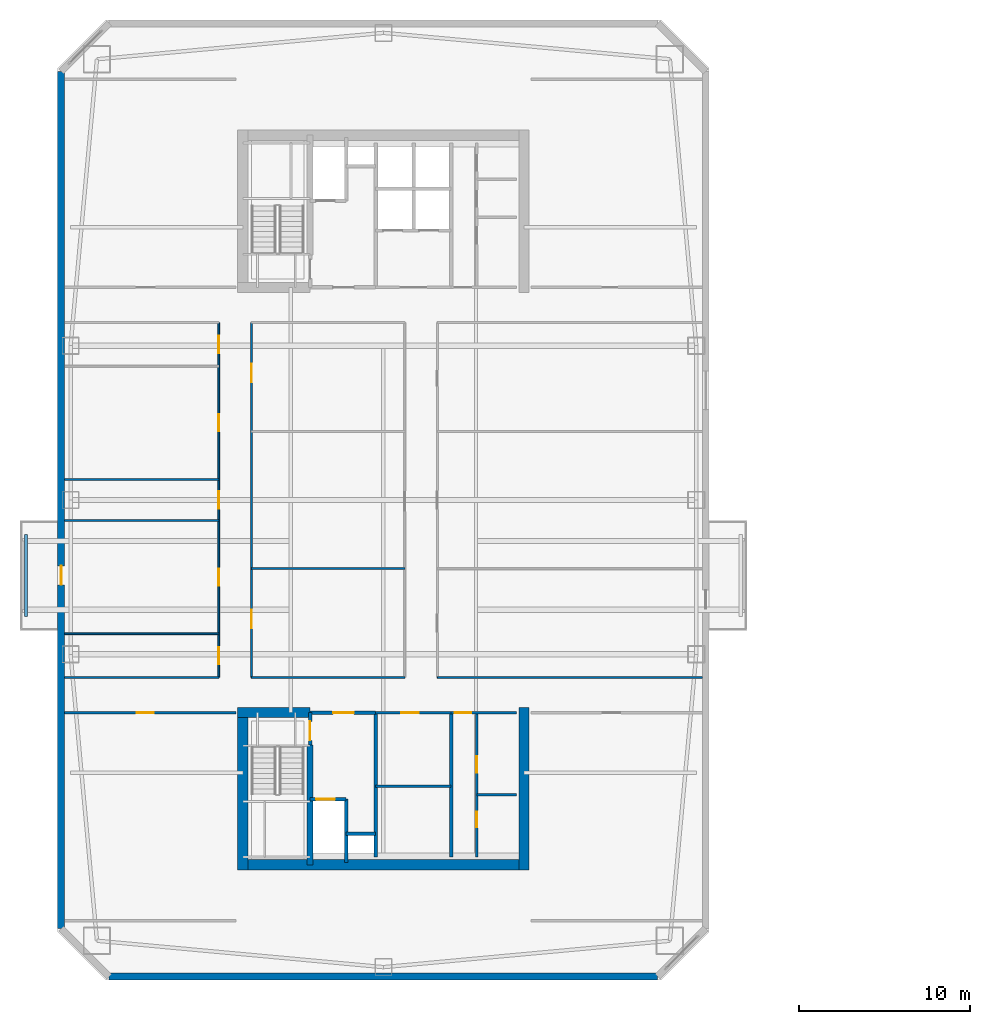
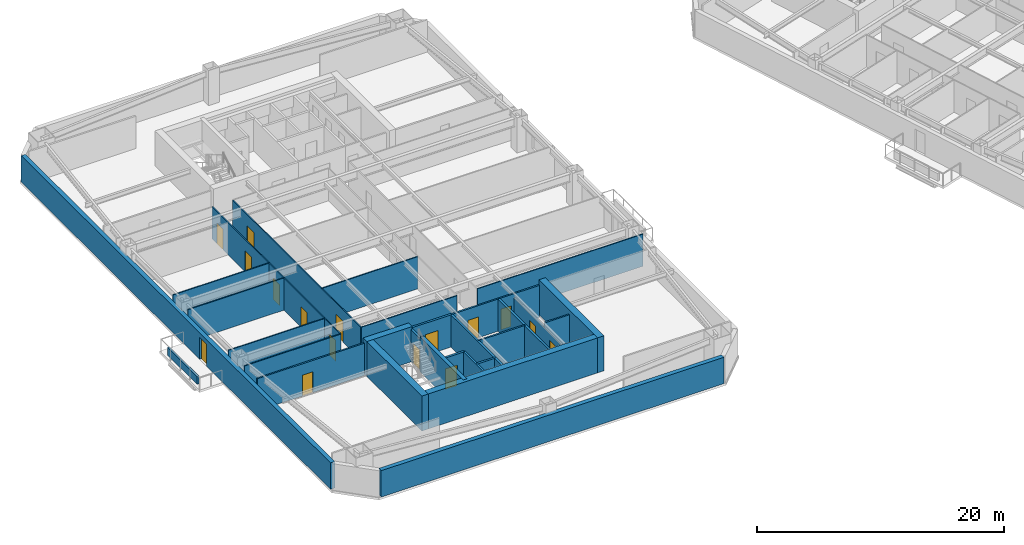
# One storey, part 12 of 22: 30 walls, 16 doors, 16 openings.
"""IFC4 building model written with IfcOpenShell, lengths in metres."""

from ifc_helpers import new_model, si_unit, direction, frame, frame_2d, origin, place, context, subcontext, project, spatial, rectangle, extrude, material, layer, layer_set, type_object, element, fill, save


model = new_model("IFC4")

# Units and contexts
model_context = context("Model", 3, precision=1e-05, world=origin(), true_north=direction((0.0, 1.0)))
body_context = subcontext(model_context, "Body", "Model", "MODEL_VIEW")
ifc_project = project(units=[si_unit("LENGTHUNIT", "METRE"), si_unit("AREAUNIT", "SQUARE_METRE"), si_unit("VOLUMEUNIT", "CUBIC_METRE"), si_unit("PLANEANGLEUNIT", "RADIAN"), si_unit("MASSUNIT", "GRAM", prefix="KILO")], contexts=[model_context])

# Site, building, storey
site_placement = place(None, origin())
site = spatial("IfcSite", under=ifc_project, at=site_placement, CompositionType="ELEMENT")
building_placement = place(site_placement, origin())
building = spatial("IfcBuilding", under=site, at=building_placement, Name="Qiaolan Cultural Towers", CompositionType="ELEMENT")
storey_placement = place(building_placement, frame((0.0, 0.0, 146.050048828125)))
storey = spatial("IfcBuildingStorey", under=building, at=storey_placement, Name="L38", CompositionType="ELEMENT", Elevation=146.050048828125)

# Walls
ifc_material_1 = material(Name="Concrete C50", Category="concrete")
ifc_layer_1 = layer(ifc_material_1, 0.35009765625)
ifc_layer_set_1 = layer_set([ifc_layer_1], Name="Concrete C50")
wall_type_1 = type_object("IfcWallType", Name="WL-CORE-350", PredefinedType="SHEAR", material=ifc_layer_set_1)
wall_1_placement = place(storey_placement, frame((25.719970703125, 19.699951171875, 0.0), z_axis=(0.0, 0.0, 1.0), x_axis=(0.0, -1.0, 0.0)))
element("IfcWall", 1, at=wall_1_placement, inside=storey, type_object=wall_type_1, Name="L38 T1-CS Stair Core Dividing Web", PredefinedType="SHEAR", context=body_context, shape_type="SweptSolid", body=[
    extrude(rectangle(XDim=6.97998046875, YDim=0.35009765625, at=frame_2d((3.489990234375, 0.0))), origin(), (0.0, 0.0, 1.0), 3.449951171875),
])
ifc_material_2 = material(Name="Concrete C55", Category="concrete")
ifc_layer_2 = layer(ifc_material_2, 0.60009765625)
ifc_layer_set_2 = layer_set([ifc_layer_2], Name="Concrete C55")
wall_type_2 = type_object("IfcWallType", Name="WL-CORE-600", PredefinedType="SHEAR", material=ifc_layer_set_2)
wall_2_placement = place(storey_placement, frame((21.5, 12.719970703125, 0.0), z_axis=(0.0, 0.0, 1.0), x_axis=(1.0, 0.0, 0.0)))
element("IfcWall", 2, at=wall_2_placement, inside=storey, type_object=wall_type_2, Name="L38 T1-CS Outer Core Shear Wall", PredefinedType="SHEAR", context=body_context, shape_type="SweptSolid", body=[
    extrude(rectangle(XDim=17.0, YDim=0.60009765625, at=frame_2d((8.5, 0.0))), origin(), (0.0, 0.0, 1.0), 3.449951171875),
])
for number, where, z_axis, x_axis, name in (
    (3, (21.800048828125, 21.89990234375, 0.0), (0.0, 0.0, 1.0), (0.0, -1.0, 0.0), "L38 T1-CS West Core Shear Wall"),
    (4, (38.199951171875, 21.89990234375, 0.0), (0.0, 0.0, 1.0), (0.0, -1.0, 0.0), "L38 T1-CS East Core Shear Wall"),
):
    element("IfcWall", number, at=place(storey_placement, frame(where, z_axis=z_axis, x_axis=x_axis)), inside=storey, type_object=wall_type_2, Name=name, PredefinedType="SHEAR", context=body_context, shape_type="SweptSolid", body=[
        extrude(rectangle(XDim=9.47998046875, YDim=0.60009765625, at=frame_2d((4.739990234375, 0.0))), origin(), (0.0, 0.0, 1.0), 3.449951171875),
    ])
wall_3_placement = place(storey_placement, frame((21.5, 21.60009765625, 0.0), z_axis=(0.0, 0.0, 1.0), x_axis=(1.0, 0.0, 0.0)))
element("IfcWall", 5, at=wall_3_placement, inside=storey, type_object=wall_type_2, Name="L38 T1-CS Stair Front Shear Wall", PredefinedType="SHEAR", context=body_context, shape_type="SweptSolid", body=[
    extrude(rectangle(XDim=4.219970703125, YDim=0.60009765625, at=frame_2d((2.10986328125, 0.0))), origin(), (0.0, 0.0, 1.0), 3.449951171875),
])

# Wall, opening, door
ifc_material_3 = material(Name="Precast Concrete C50 Honed Stone Pier", Category="masonry")
ifc_layer_3 = layer(ifc_material_3, 0.39990234375)
ifc_layer_set_3 = layer_set([ifc_layer_3], Name="Precast Concrete C50 Honed Stone Pier")
wall_type_3 = type_object("IfcWallType", Name="WL-EXT-PIER-400", PredefinedType="SOLIDWALL", material=ifc_layer_set_3)
wall_4_placement = place(storey_placement, frame((11.199951171875, 9.0, 0.0), z_axis=(0.0, 0.0, 1.0), x_axis=(0.0, 1.0, 0.0)))
wall_4 = element("IfcWall", 6, at=wall_4_placement, inside=storey, type_object=wall_type_3, Name="L38 West Tower Precast Pier Facade Wall F1", PredefinedType="SOLIDWALL", context=body_context, shape_type="SweptSolid", body=[
    extrude(rectangle(XDim=50.0, YDim=0.39990234375, at=frame_2d((25.0, 0.0))), origin(), (0.0, 0.0, 1.0), 2.60986328125),
])
opening_1_placement = place(wall_4_placement, frame((20.050048828125, 0.0, 0.0)))
opening_1 = element("IfcOpeningElement", 7, at=opening_1_placement, cuts=wall_4, Name="Opening BD-01", PredefinedType="OPENING", context=body_context, shape_type="SweptSolid", body=[
    extrude(rectangle(XDim=1.10009765625, YDim=2.14990234375, at=frame_2d((0.550048828125, 1.074951171875))), frame((0.0, 0.2099609375, 0.0), z_axis=(0.0, -1.0, 0.0), x_axis=(1.0, 0.0, 0.0)), (0.0, 0.0, 1.0), 0.419921875),
])
ifc_material_4 = material(Name="Thermally Broken Aluminium Glazed Terrace Door", Category="aluminium")
door_type_1 = type_object("IfcDoorType", Name="DR-BAL-1100", OperationType="NOTDEFINED", PredefinedType="DOOR", material=ifc_material_4)
door_1_placement = place(opening_1_placement, origin())
door_1 = element("IfcDoor", 8, at=door_1_placement, inside=storey, type_object=door_type_1, Name="L38 T1 West Tree Balcony Door", OperationType="SINGLE_SWING_LEFT", OverallHeight=2.14990234375, OverallWidth=1.10009765625, PredefinedType="DOOR", context=body_context, shape_type="SweptSolid", body=[
    extrude(rectangle(XDim=1.10009765625, YDim=2.14990234375, at=frame_2d((0.550048828125, 1.074951171875))), frame((0.0, 0.02490234375, 0.0), z_axis=(0.0, -1.0, 0.0), x_axis=(1.0, 0.0, 0.0)), (0.0, 0.0, 1.0), 0.050048828125),
])
fill(opening_1, door_1)

# Wall
wall_5_placement = place(storey_placement, frame((46.0, 6.199951171875, 0.0), z_axis=(0.0, 0.0, 1.0), x_axis=(-1.0, 0.0, 0.0)))
element("IfcWall", 9, at=wall_5_placement, inside=storey, type_object=wall_type_3, Name="L38 West Tower Precast Pier Facade Wall F7", PredefinedType="SOLIDWALL", context=body_context, shape_type="SweptSolid", body=[
    extrude(rectangle(XDim=32.0, YDim=0.39990234375, at=frame_2d((16.0, 0.0))), origin(), (0.0, 0.0, 1.0), 2.60986328125),
])

# Wall, opening, door
ifc_material_5 = material(Name="Concrete C35 Fire Wall", Category="concrete")
ifc_layer_4 = layer(ifc_material_5, 0.199951171875)
ifc_layer_set_4 = layer_set([ifc_layer_4], Name="Concrete C35 Fire Wall")
wall_type_4 = type_object("IfcWallType", Name="WL-FIRE-200", PredefinedType="PARTITIONING", material=ifc_layer_set_4)
wall_6_placement = place(storey_placement, frame((25.719970703125, 21.60009765625, 0.0), z_axis=(0.0, 0.0, 1.0), x_axis=(0.0, -1.0, 0.0)))
wall_6 = element("IfcWall", 10, at=wall_6_placement, inside=storey, type_object=wall_type_4, Name="L38 T1-CS Smokeproof Stair Entry Wall", PredefinedType="PARTITIONING", context=body_context, shape_type="SweptSolid", body=[
    extrude(rectangle(XDim=1.900146484375, YDim=0.199951171875, at=frame_2d((0.9501953125, 0.0))), origin(), (0.0, 0.0, 1.0), 3.175048828125),
])
opening_2_placement = place(wall_6_placement, frame((0.52001953125, 0.0, 0.0)))
opening_2 = element("IfcOpeningElement", 11, at=opening_2_placement, cuts=wall_6, Name="Opening FD-04", PredefinedType="OPENING", context=body_context, shape_type="SweptSolid", body=[
    extrude(rectangle(XDim=1.10009765625, YDim=2.050048828125, at=frame_2d((0.550048828125, 1.02490234375))), frame((0.0, 0.10986328125, 0.0), z_axis=(0.0, -1.0, 0.0), x_axis=(1.0, 0.0, 0.0)), (0.0, 0.0, 1.0), 0.219970703125),
])
ifc_material_6 = material(Name="Galvanized Steel Command Fire Door", Category="steel")
door_type_2 = type_object("IfcDoorType", Name="DR-FD90-1100", OperationType="NOTDEFINED", PredefinedType="DOOR", material=ifc_material_6)
door_2_placement = place(opening_2_placement, origin())
door_2 = element("IfcDoor", 12, at=door_2_placement, inside=storey, type_object=door_type_2, Name="L38 ST-W1 Smokeproof Stair Fire Door", OperationType="SINGLE_SWING_LEFT", OverallHeight=2.050048828125, OverallWidth=1.10009765625, PredefinedType="DOOR", context=body_context, shape_type="SweptSolid", body=[
    extrude(rectangle(XDim=1.10009765625, YDim=2.050048828125, at=frame_2d((0.550048828125, 1.02490234375))), frame((0.0, 0.02490234375, 0.0), z_axis=(0.0, -1.0, 0.0), x_axis=(1.0, 0.0, 0.0)), (0.0, 0.0, 1.0), 0.050048828125),
])
fill(opening_2, door_2)

# Wall
wall_7_placement = place(storey_placement, frame((29.550048828125, 21.60009765625, 0.0), z_axis=(0.0, 0.0, 1.0), x_axis=(0.0, -1.0, 0.0)))
element("IfcWall", 13, at=wall_7_placement, inside=storey, type_object=wall_type_4, Name="L38 T1-CS Firefighting Zone Wall", PredefinedType="PARTITIONING", context=body_context, shape_type="SweptSolid", body=[
    extrude(rectangle(XDim=8.43017578125, YDim=0.199951171875, at=frame_2d((4.215087890625, 0.0))), origin(), (0.0, 0.0, 1.0), 3.175048828125),
])

# Wall, opening, door
wall_8_placement = place(storey_placement, frame((25.719970703125, 21.60009765625, 0.0), z_axis=(0.0, 0.0, 1.0), x_axis=(1.0, 0.0, 0.0)))
wall_8 = element("IfcWall", 14, at=wall_8_placement, inside=storey, type_object=wall_type_4, Name="L38 T1-CS Firefighting Lobby Front Wall", PredefinedType="PARTITIONING", context=body_context, shape_type="SweptSolid", body=[
    extrude(rectangle(XDim=3.830078125, YDim=0.199951171875, at=frame_2d((1.9150390625, 0.0))), origin(), (0.0, 0.0, 1.0), 3.175048828125),
])
opening_3_placement = place(wall_8_placement, frame((1.35009765625, 0.0, 0.0)))
opening_3 = element("IfcOpeningElement", 15, at=opening_3_placement, cuts=wall_8, Name="Opening FD-03", PredefinedType="OPENING", context=body_context, shape_type="SweptSolid", body=[
    extrude(rectangle(XDim=1.199951171875, YDim=2.050048828125, at=frame_2d((0.60009765625, 1.02490234375))), frame((0.0, 0.10986328125, 0.0), z_axis=(0.0, -1.0, 0.0), x_axis=(1.0, 0.0, 0.0)), (0.0, 0.0, 1.0), 0.219970703125),
])
ifc_material_7 = material(Name="Galvanized Steel Smokeproof Lobby Fire Door", Category="steel")
door_type_3 = type_object("IfcDoorType", Name="DR-FD90-1200", OperationType="NOTDEFINED", PredefinedType="DOOR", material=ifc_material_7)
door_3_placement = place(opening_3_placement, origin())
door_3 = element("IfcDoor", 16, at=door_3_placement, inside=storey, type_object=door_type_3, Name="L38 FFL-W1 Firefighting Lobby Fire Door", OperationType="SINGLE_SWING_LEFT", OverallHeight=2.050048828125, OverallWidth=1.199951171875, PredefinedType="DOOR", context=body_context, shape_type="SweptSolid", body=[
    extrude(rectangle(XDim=1.199951171875, YDim=2.050048828125, at=frame_2d((0.60009765625, 1.02490234375))), frame((0.0, 0.02490234375, 0.0), z_axis=(0.0, -1.0, 0.0), x_axis=(1.0, 0.0, 0.0)), (0.0, 0.0, 1.0), 0.050048828125),
])
fill(opening_3, door_3)

wall_9_placement = place(storey_placement, frame((25.719970703125, 16.550048828125, 0.0), z_axis=(0.0, 0.0, 1.0), x_axis=(1.0, 0.0, 0.0)))
wall_9 = element("IfcWall", 17, at=wall_9_placement, inside=storey, type_object=wall_type_4, Name="L38 T1-CS Firefighting Shaft Front Wall", PredefinedType="PARTITIONING", context=body_context, shape_type="SweptSolid", body=[
    extrude(rectangle(XDim=2.10009765625, YDim=0.199951171875, at=frame_2d((1.050048828125, 0.0))), origin(), (0.0, 0.0, 1.0), 3.175048828125),
])
opening_4_placement = place(wall_9_placement, frame((0.35009765625, 0.0, 0.0)))
opening_4 = element("IfcOpeningElement", 18, at=opening_4_placement, cuts=wall_9, Name="Opening LD-01", PredefinedType="OPENING", context=body_context, shape_type="SweptSolid", body=[
    extrude(rectangle(XDim=1.10009765625, YDim=2.050048828125, at=frame_2d((0.550048828125, 1.02490234375))), frame((0.0, 0.10986328125, 0.0), z_axis=(0.0, -1.0, 0.0), x_axis=(1.0, 0.0, 0.0)), (0.0, 0.0, 1.0), 0.219970703125),
])
ifc_material_8 = material(Name="Brushed Stainless Steel S30408 Centre-Parting Lift Landing Door", Category="steel")
door_type_4 = type_object("IfcDoorType", Name="DR-LIFT-1100", OperationType="NOTDEFINED", PredefinedType="DOOR", material=ifc_material_8)
door_4_placement = place(opening_4_placement, origin())
door_4 = element("IfcDoor", 19, at=door_4_placement, inside=storey, type_object=door_type_4, Name="L38 FFL-W1 Firefighting Lift Landing Door", OperationType="DOUBLE_DOOR_SLIDING", OverallHeight=2.050048828125, OverallWidth=1.10009765625, PredefinedType="DOOR", context=body_context, shape_type="SweptSolid", body=[
    extrude(rectangle(XDim=1.10009765625, YDim=2.050048828125, at=frame_2d((0.550048828125, 1.02490234375))), frame((0.0, 0.02490234375, 0.0), z_axis=(0.0, -1.0, 0.0), x_axis=(1.0, 0.0, 0.0)), (0.0, 0.0, 1.0), 0.050048828125),
])
fill(opening_4, door_4)

# Walls
wall_10_placement = place(storey_placement, frame((27.820068359375, 16.550048828125, 0.0), z_axis=(0.0, 0.0, 1.0), x_axis=(0.0, -1.0, 0.0)))
element("IfcWall", 20, at=wall_10_placement, inside=storey, type_object=wall_type_4, Name="L38 T1-CS Firefighting Hoistway East Wall", PredefinedType="PARTITIONING", context=body_context, shape_type="SweptSolid", body=[
    extrude(rectangle(XDim=3.699951171875, YDim=0.199951171875, at=frame_2d((1.85009765625, 0.0))), origin(), (0.0, 0.0, 1.0), 3.175048828125),
])
wall_11_placement = place(storey_placement, frame((27.820068359375, 14.52001953125, 0.0), z_axis=(0.0, 0.0, 1.0), x_axis=(1.0, 0.0, 0.0)))
element("IfcWall", 21, at=wall_11_placement, inside=storey, type_object=wall_type_4, Name="L38 T1-CS Pressurization Shaft Front Wall", PredefinedType="PARTITIONING", context=body_context, shape_type="SweptSolid", body=[
    extrude(rectangle(XDim=1.72998046875, YDim=0.199951171875, at=frame_2d((0.864990234375, 0.0))), origin(), (0.0, 0.0, 1.0), 3.175048828125),
])
wall_12_placement = place(storey_placement, frame((33.949951171875, 21.60009765625, 0.0), z_axis=(0.0, 0.0, 1.0), x_axis=(0.0, -1.0, 0.0)))
element("IfcWall", 22, at=wall_12_placement, inside=storey, type_object=wall_type_4, Name="L38 T1-CS Lift Core East Wall", PredefinedType="PARTITIONING", context=body_context, shape_type="SweptSolid", body=[
    extrude(rectangle(XDim=8.43017578125, YDim=0.199951171875, at=frame_2d((4.215087890625, 0.0))), origin(), (0.0, 0.0, 1.0), 3.175048828125),
])
ifc_material_9 = material(Name="Acoustic Double-Glazed Partition Frame", Category="glass")
ifc_layer_5 = layer(ifc_material_9, 0.10009765625)
ifc_layer_set_5 = layer_set([ifc_layer_5], Name="Acoustic Double-Glazed Partition Frame")
wall_type_5 = type_object("IfcWallType", Name="WL-GLAZED-100", PredefinedType="MOVABLE", material=ifc_layer_set_5)
wall_13_placement = place(storey_placement, frame((11.39990234375, 23.64990234375, 0.0), z_axis=(0.0, 0.0, 1.0), x_axis=(1.0, 0.0, 0.0)))
element("IfcWall", 23, at=wall_13_placement, inside=storey, type_object=wall_type_5, Name="L38 T1 Interior Wall", PredefinedType="MOVABLE", context=body_context, shape_type="SweptSolid", body=[
    extrude(rectangle(XDim=9.0, YDim=0.10009765625, at=frame_2d((4.5, 0.0))), origin(), (0.0, 0.0, 1.0), 3.175048828125),
])
wall_14_placement = place(storey_placement, frame((22.300048828125, 23.64990234375, 0.0), z_axis=(0.0, 0.0, 1.0), x_axis=(1.0, 0.0, 0.0)))
element("IfcWall", 24, at=wall_14_placement, inside=storey, type_object=wall_type_5, Name="L38 T1 Interior Wall", PredefinedType="MOVABLE", context=body_context, shape_type="SweptSolid", body=[
    extrude(rectangle(XDim=8.949951171875, YDim=0.10009765625, at=frame_2d((4.47509765625, 0.0))), origin(), (0.0, 0.0, 1.0), 3.175048828125),
])
wall_15_placement = place(storey_placement, frame((33.14990234375, 23.64990234375, 0.0), z_axis=(0.0, 0.0, 1.0), x_axis=(1.0, 0.0, 0.0)))
element("IfcWall", 25, at=wall_15_placement, inside=storey, type_object=wall_type_5, Name="L38 T1 Interior Wall", PredefinedType="MOVABLE", context=body_context, shape_type="SweptSolid", body=[
    extrude(rectangle(XDim=15.4501953125, YDim=0.10009765625, at=frame_2d((7.72509765625, 0.0))), origin(), (0.0, 0.0, 1.0), 3.175048828125),
])

# Wall, openings, doors
wall_16_placement = place(storey_placement, frame((20.39990234375, 23.64990234375, 0.0), z_axis=(0.0, 0.0, 1.0), x_axis=(0.0, 1.0, 0.0)))
wall_16 = element("IfcWall", 26, at=wall_16_placement, inside=storey, type_object=wall_type_5, Name="L38 T1 Interior Wall", PredefinedType="MOVABLE", context=body_context, shape_type="SweptSolid", body=[
    extrude(rectangle(XDim=20.7001953125, YDim=0.10009765625, at=frame_2d((10.35009765625, 0.0))), origin(), (0.0, 0.0, 1.0), 3.175048828125),
])
opening_5_placement = place(wall_16_placement, frame((0.77490234375, 0.0, 0.0)))
opening_5 = element("IfcOpeningElement", 27, at=opening_5_placement, cuts=wall_16, Name="Opening ID-04", PredefinedType="OPENING", context=body_context, shape_type="SweptSolid", body=[
    extrude(rectangle(XDim=1.0, YDim=2.050048828125, at=frame_2d((0.5, 1.02490234375))), frame((0.0, 0.06005859375, 0.0), z_axis=(0.0, -1.0, 0.0), x_axis=(1.0, 0.0, 0.0)), (0.0, 0.0, 1.0), 0.1201171875),
])
opening_6_placement = place(wall_16_placement, frame((5.35009765625, 0.0, 0.0)))
opening_6 = element("IfcOpeningElement", 28, at=opening_6_placement, cuts=wall_16, Name="Opening ID-04", PredefinedType="OPENING", context=body_context, shape_type="SweptSolid", body=[
    extrude(rectangle(XDim=1.0, YDim=2.050048828125, at=frame_2d((0.5, 1.02490234375))), frame((0.0, 0.06005859375, 0.0), z_axis=(0.0, -1.0, 0.0), x_axis=(1.0, 0.0, 0.0)), (0.0, 0.0, 1.0), 0.1201171875),
])
opening_7_placement = place(wall_16_placement, frame((9.85009765625, 0.0, 0.0)))
opening_7 = element("IfcOpeningElement", 29, at=opening_7_placement, cuts=wall_16, Name="Opening ID-04", PredefinedType="OPENING", context=body_context, shape_type="SweptSolid", body=[
    extrude(rectangle(XDim=1.0, YDim=2.050048828125, at=frame_2d((0.5, 1.02490234375))), frame((0.0, 0.06005859375, 0.0), z_axis=(0.0, -1.0, 0.0), x_axis=(1.0, 0.0, 0.0)), (0.0, 0.0, 1.0), 0.1201171875),
])
opening_8_placement = place(wall_16_placement, frame((14.35009765625, 0.0, 0.0)))
opening_8 = element("IfcOpeningElement", 30, at=opening_8_placement, cuts=wall_16, Name="Opening ID-04", PredefinedType="OPENING", context=body_context, shape_type="SweptSolid", body=[
    extrude(rectangle(XDim=1.0, YDim=2.050048828125, at=frame_2d((0.5, 1.02490234375))), frame((0.0, 0.06005859375, 0.0), z_axis=(0.0, -1.0, 0.0), x_axis=(1.0, 0.0, 0.0)), (0.0, 0.0, 1.0), 0.1201171875),
])
opening_9_placement = place(wall_16_placement, frame((18.925048828125, 0.0, 0.0)))
opening_9 = element("IfcOpeningElement", 31, at=opening_9_placement, cuts=wall_16, Name="Opening ID-04", PredefinedType="OPENING", context=body_context, shape_type="SweptSolid", body=[
    extrude(rectangle(XDim=1.0, YDim=2.050048828125, at=frame_2d((0.5, 1.02490234375))), frame((0.0, 0.06005859375, 0.0), z_axis=(0.0, -1.0, 0.0), x_axis=(1.0, 0.0, 0.0)), (0.0, 0.0, 1.0), 0.1201171875),
])
ifc_material_10 = material(Name="Oak Veneer Acoustic Office Door", Category="timber")
door_type_5 = type_object("IfcDoorType", Name="DR-INT-1000", OperationType="NOTDEFINED", PredefinedType="DOOR", material=ifc_material_10)
door_5_placement = place(opening_5_placement, origin())
door_5 = element("IfcDoor", 32, at=door_5_placement, inside=storey, type_object=door_type_5, Name="L38 T1 Civic Planning Office Door", OperationType="SINGLE_SWING_LEFT", OverallHeight=2.050048828125, OverallWidth=1.0, PredefinedType="DOOR", context=body_context, shape_type="SweptSolid", body=[
    extrude(rectangle(XDim=1.0, YDim=2.050048828125, at=frame_2d((0.5, 1.02490234375))), frame((0.0, 0.02490234375, 0.0), z_axis=(0.0, -1.0, 0.0), x_axis=(1.0, 0.0, 0.0)), (0.0, 0.0, 1.0), 0.050048828125),
])
fill(opening_5, door_5)
door_6_placement = place(opening_6_placement, origin())
door_6 = element("IfcDoor", 33, at=door_6_placement, inside=storey, type_object=door_type_5, Name="L38 T1 Civic Planning Office Door", OperationType="SINGLE_SWING_RIGHT", OverallHeight=2.050048828125, OverallWidth=1.0, PredefinedType="DOOR", context=body_context, shape_type="SweptSolid", body=[
    extrude(rectangle(XDim=1.0, YDim=2.050048828125, at=frame_2d((0.5, 1.02490234375))), frame((0.0, 0.02490234375, 0.0), z_axis=(0.0, -1.0, 0.0), x_axis=(1.0, 0.0, 0.0)), (0.0, 0.0, 1.0), 0.050048828125),
])
fill(opening_6, door_6)
door_7_placement = place(opening_7_placement, origin())
door_7 = element("IfcDoor", 34, at=door_7_placement, inside=storey, type_object=door_type_5, Name="L38 T1 Design Review Room Door", OperationType="SINGLE_SWING_LEFT", OverallHeight=2.050048828125, OverallWidth=1.0, PredefinedType="DOOR", context=body_context, shape_type="SweptSolid", body=[
    extrude(rectangle(XDim=1.0, YDim=2.050048828125, at=frame_2d((0.5, 1.02490234375))), frame((0.0, 0.02490234375, 0.0), z_axis=(0.0, -1.0, 0.0), x_axis=(1.0, 0.0, 0.0)), (0.0, 0.0, 1.0), 0.050048828125),
])
fill(opening_7, door_7)
door_8_placement = place(opening_8_placement, origin())
door_8 = element("IfcDoor", 35, at=door_8_placement, inside=storey, type_object=door_type_5, Name="L38 T1 Design Review Room Door", OperationType="SINGLE_SWING_RIGHT", OverallHeight=2.050048828125, OverallWidth=1.0, PredefinedType="DOOR", context=body_context, shape_type="SweptSolid", body=[
    extrude(rectangle(XDim=1.0, YDim=2.050048828125, at=frame_2d((0.5, 1.02490234375))), frame((0.0, 0.02490234375, 0.0), z_axis=(0.0, -1.0, 0.0), x_axis=(1.0, 0.0, 0.0)), (0.0, 0.0, 1.0), 0.050048828125),
])
fill(opening_8, door_8)
door_9_placement = place(opening_9_placement, origin())
door_9 = element("IfcDoor", 36, at=door_9_placement, inside=storey, type_object=door_type_5, Name="L38 T1 Pantry Door", OperationType="SINGLE_SWING_LEFT", OverallHeight=2.050048828125, OverallWidth=1.0, PredefinedType="DOOR", context=body_context, shape_type="SweptSolid", body=[
    extrude(rectangle(XDim=1.0, YDim=2.050048828125, at=frame_2d((0.5, 1.02490234375))), frame((0.0, 0.02490234375, 0.0), z_axis=(0.0, -1.0, 0.0), x_axis=(1.0, 0.0, 0.0)), (0.0, 0.0, 1.0), 0.050048828125),
])
fill(opening_9, door_9)

wall_17_placement = place(storey_placement, frame((22.300048828125, 23.64990234375, 0.0), z_axis=(0.0, 0.0, 1.0), x_axis=(0.0, 1.0, 0.0)))
wall_17 = element("IfcWall", 37, at=wall_17_placement, inside=storey, type_object=wall_type_5, Name="L38 T1 Interior Wall", PredefinedType="MOVABLE", context=body_context, shape_type="SweptSolid", body=[
    extrude(rectangle(XDim=20.7001953125, YDim=0.10009765625, at=frame_2d((10.35009765625, 0.0))), origin(), (0.0, 0.0, 1.0), 3.175048828125),
])
opening_10_placement = place(wall_17_placement, frame((2.857421875, 0.0, 0.0)))
opening_10 = element("IfcOpeningElement", 38, at=opening_10_placement, cuts=wall_17, Name="Opening ID-03", PredefinedType="OPENING", context=body_context, shape_type="SweptSolid", body=[
    extrude(rectangle(XDim=1.10009765625, YDim=2.050048828125, at=frame_2d((0.550048828125, 1.02490234375))), frame((0.0, 0.06005859375, 0.0), z_axis=(0.0, -1.0, 0.0), x_axis=(1.0, 0.0, 0.0)), (0.0, 0.0, 1.0), 0.1201171875),
])
opening_11_placement = place(wall_17_placement, frame((17.20751953125, 0.0, 0.0)))
opening_11 = element("IfcOpeningElement", 39, at=opening_11_placement, cuts=wall_17, Name="Opening ID-03", PredefinedType="OPENING", context=body_context, shape_type="SweptSolid", body=[
    extrude(rectangle(XDim=1.10009765625, YDim=2.050048828125, at=frame_2d((0.550048828125, 1.02490234375))), frame((0.0, 0.06005859375, 0.0), z_axis=(0.0, -1.0, 0.0), x_axis=(1.0, 0.0, 0.0)), (0.0, 0.0, 1.0), 0.1201171875),
])
ifc_material_11 = material(Name="Oak Veneer Solid-Core Boardroom Door", Category="timber")
door_type_6 = type_object("IfcDoorType", Name="DR-INT-1100", OperationType="NOTDEFINED", PredefinedType="DOOR", material=ifc_material_11)
door_10_placement = place(opening_10_placement, origin())
door_10 = element("IfcDoor", 40, at=door_10_placement, inside=storey, type_object=door_type_6, Name="L38 T1 Central Boardroom Door", OperationType="SINGLE_SWING_LEFT", OverallHeight=2.050048828125, OverallWidth=1.10009765625, PredefinedType="DOOR", context=body_context, shape_type="SweptSolid", body=[
    extrude(rectangle(XDim=1.10009765625, YDim=2.050048828125, at=frame_2d((0.550048828125, 1.02490234375))), frame((0.0, 0.02490234375, 0.0), z_axis=(0.0, -1.0, 0.0), x_axis=(1.0, 0.0, 0.0)), (0.0, 0.0, 1.0), 0.050048828125),
])
fill(opening_10, door_10)
door_11_placement = place(opening_11_placement, origin())
door_11 = element("IfcDoor", 41, at=door_11_placement, inside=storey, type_object=door_type_6, Name="L38 T1 Central Archive Room Door", OperationType="SINGLE_SWING_RIGHT", OverallHeight=2.050048828125, OverallWidth=1.10009765625, PredefinedType="DOOR", context=body_context, shape_type="SweptSolid", body=[
    extrude(rectangle(XDim=1.10009765625, YDim=2.050048828125, at=frame_2d((0.550048828125, 1.02490234375))), frame((0.0, 0.02490234375, 0.0), z_axis=(0.0, -1.0, 0.0), x_axis=(1.0, 0.0, 0.0)), (0.0, 0.0, 1.0), 0.050048828125),
])
fill(opening_11, door_11)

# Walls
wall_18_placement = place(storey_placement, frame((22.300048828125, 30.0, 0.0), z_axis=(0.0, 0.0, 1.0), x_axis=(1.0, 0.0, 0.0)))
element("IfcWall", 42, at=wall_18_placement, inside=storey, type_object=wall_type_5, Name="L38 T1 Interior Wall", PredefinedType="MOVABLE", context=body_context, shape_type="SweptSolid", body=[
    extrude(rectangle(XDim=8.949951171875, YDim=0.10009765625, at=frame_2d((4.47509765625, 0.0))), origin(), (0.0, 0.0, 1.0), 3.175048828125),
])
for number, where, z_axis, x_axis, name in (
    (43, (11.39990234375, 26.199951171875, 0.0), (0.0, 0.0, 1.0), (1.0, 0.0, 0.0), "L38 T1 Interior Wall"),
    (44, (11.39990234375, 32.800048828125, 0.0), (0.0, 0.0, 1.0), (1.0, 0.0, 0.0), "L38 T1 Interior Wall"),
    (45, (11.39990234375, 35.199951171875, 0.0), (0.0, 0.0, 1.0), (1.0, 0.0, 0.0), "L38 T1 Interior Wall"),
):
    element("IfcWall", number, at=place(storey_placement, frame(where, z_axis=z_axis, x_axis=x_axis)), inside=storey, type_object=wall_type_5, Name=name, PredefinedType="MOVABLE", context=body_context, shape_type="SweptSolid", body=[
        extrude(rectangle(XDim=9.0, YDim=0.10009765625, at=frame_2d((4.5, 0.0))), origin(), (0.0, 0.0, 1.0), 3.175048828125),
    ])

# Wall, opening, door
ifc_material_12 = material(Name="Autoclaved Aerated Concrete Block B06", Category="concrete")
ifc_layer_6 = layer(ifc_material_12, 0.14990234375)
ifc_layer_set_6 = layer_set([ifc_layer_6], Name="Autoclaved Aerated Concrete Block B06")
wall_type_6 = type_object("IfcWallType", Name="WL-PART-150", PredefinedType="PARTITIONING", material=ifc_layer_set_6)
wall_19_placement = place(storey_placement, frame((29.550048828125, 21.60009765625, 0.0), z_axis=(0.0, 0.0, 1.0), x_axis=(1.0, 0.0, 0.0)))
wall_19 = element("IfcWall", 46, at=wall_19_placement, inside=storey, type_object=wall_type_6, Name="L38 T1-CS Reclaimed Core Room Front Wall", PredefinedType="PARTITIONING", context=body_context, shape_type="SweptSolid", body=[
    extrude(rectangle(XDim=4.39990234375, YDim=0.14990234375, at=frame_2d((2.199951171875, 0.0))), origin(), (0.0, 0.0, 1.0), 3.175048828125),
])
opening_12_placement = place(wall_19_placement, frame((1.5, 0.0, 0.0)))
opening_12 = element("IfcOpeningElement", 47, at=opening_12_placement, cuts=wall_19, Name="Opening ID-04", PredefinedType="OPENING", context=body_context, shape_type="SweptSolid", body=[
    extrude(rectangle(XDim=1.0, YDim=2.050048828125, at=frame_2d((0.5, 1.02490234375))), frame((0.0, 0.0849609375, 0.0), z_axis=(0.0, -1.0, 0.0), x_axis=(1.0, 0.0, 0.0)), (0.0, 0.0, 1.0), 0.169921875),
])
door_12_placement = place(opening_12_placement, origin())
door_12 = element("IfcDoor", 48, at=door_12_placement, inside=storey, type_object=door_type_5, Name="L38 Focus Pod Room Door", OperationType="SINGLE_SWING_LEFT", OverallHeight=2.050048828125, OverallWidth=1.0, PredefinedType="DOOR", context=body_context, shape_type="SweptSolid", body=[
    extrude(rectangle(XDim=1.0, YDim=2.050048828125, at=frame_2d((0.5, 1.02490234375))), frame((0.0, 0.02490234375, 0.0), z_axis=(0.0, -1.0, 0.0), x_axis=(1.0, 0.0, 0.0)), (0.0, 0.0, 1.0), 0.050048828125),
])
fill(opening_12, door_12)

# Wall
wall_20_placement = place(storey_placement, frame((29.550048828125, 17.300048828125, 0.0), z_axis=(0.0, 0.0, 1.0), x_axis=(1.0, 0.0, 0.0)))
element("IfcWall", 49, at=wall_20_placement, inside=storey, type_object=wall_type_6, Name="L38 T1-CS Reclaimed Room Subdivider", PredefinedType="PARTITIONING", context=body_context, shape_type="SweptSolid", body=[
    extrude(rectangle(XDim=4.39990234375, YDim=0.14990234375, at=frame_2d((2.199951171875, 0.0))), origin(), (0.0, 0.0, 1.0), 3.175048828125),
])

# Wall, opening, door
wall_21_placement = place(storey_placement, frame((33.949951171875, 21.60009765625, 0.0), z_axis=(0.0, 0.0, 1.0), x_axis=(1.0, 0.0, 0.0)))
wall_21 = element("IfcWall", 50, at=wall_21_placement, inside=storey, type_object=wall_type_6, Name="L38 T1-CS Sanitary Core Front Wall", PredefinedType="PARTITIONING", context=body_context, shape_type="SweptSolid", body=[
    extrude(rectangle(XDim=3.800048828125, YDim=0.14990234375, at=frame_2d((1.89990234375, 0.0))), origin(), (0.0, 0.0, 1.0), 3.175048828125),
])
opening_13_placement = place(wall_21_placement, frame((0.219970703125, 0.0, 0.0)))
opening_13 = element("IfcOpeningElement", 51, at=opening_13_placement, cuts=wall_21, Name="Opening ID-05", PredefinedType="OPENING", context=body_context, shape_type="SweptSolid", body=[
    extrude(rectangle(XDim=0.949951171875, YDim=2.050048828125, at=frame_2d((0.47509765625, 1.02490234375))), frame((0.0, 0.0849609375, 0.0), z_axis=(0.0, -1.0, 0.0), x_axis=(1.0, 0.0, 0.0)), (0.0, 0.0, 1.0), 0.169921875),
])
ifc_material_13 = material(Name="Fire-Rated Laminate Accessible Core Door", Category="timber")
door_type_7 = type_object("IfcDoorType", Name="DR-INT-950", OperationType="NOTDEFINED", PredefinedType="DOOR", material=ifc_material_13)
door_13_placement = place(opening_13_placement, origin())
door_13 = element("IfcDoor", 52, at=door_13_placement, inside=storey, type_object=door_type_7, Name="L38 Sanitary Lobby Door", OperationType="SINGLE_SWING_LEFT", OverallHeight=2.050048828125, OverallWidth=0.949951171875, PredefinedType="DOOR", context=body_context, shape_type="SweptSolid", body=[
    extrude(rectangle(XDim=0.949951171875, YDim=2.050048828125, at=frame_2d((0.47509765625, 1.02490234375))), frame((0.0, 0.02490234375, 0.0), z_axis=(0.0, -1.0, 0.0), x_axis=(1.0, 0.0, 0.0)), (0.0, 0.0, 1.0), 0.050048828125),
])
fill(opening_13, door_13)

# Wall, openings, doors
wall_22_placement = place(storey_placement, frame((35.449951171875, 21.60009765625, 0.0), z_axis=(0.0, 0.0, 1.0), x_axis=(0.0, -1.0, 0.0)))
wall_22 = element("IfcWall", 53, at=wall_22_placement, inside=storey, type_object=wall_type_6, Name="L38 T1-CS Washroom Split Wall", PredefinedType="PARTITIONING", context=body_context, shape_type="SweptSolid", body=[
    extrude(rectangle(XDim=8.43017578125, YDim=0.14990234375, at=frame_2d((4.215087890625, 0.0))), origin(), (0.0, 0.0, 1.0), 2.764892578125),
])
opening_14_placement = place(wall_22_placement, frame((2.550048828125, 0.0, 0.0)))
opening_14 = element("IfcOpeningElement", 54, at=opening_14_placement, cuts=wall_22, Name="Opening ID-05", PredefinedType="OPENING", context=body_context, shape_type="SweptSolid", body=[
    extrude(rectangle(XDim=0.949951171875, YDim=2.050048828125, at=frame_2d((0.47509765625, 1.02490234375))), frame((0.0, 0.0849609375, 0.0), z_axis=(0.0, -1.0, 0.0), x_axis=(1.0, 0.0, 0.0)), (0.0, 0.0, 1.0), 0.169921875),
])
opening_15_placement = place(wall_22_placement, frame((5.800048828125, 0.0, 0.0)))
opening_15 = element("IfcOpeningElement", 55, at=opening_15_placement, cuts=wall_22, Name="Opening ID-06", PredefinedType="OPENING", context=body_context, shape_type="SweptSolid", body=[
    extrude(rectangle(XDim=0.89990234375, YDim=2.050048828125, at=frame_2d((0.449951171875, 1.02490234375))), frame((0.0, 0.0849609375, 0.0), z_axis=(0.0, -1.0, 0.0), x_axis=(1.0, 0.0, 0.0)), (0.0, 0.0, 1.0), 0.169921875),
])
ifc_material_14 = material(Name="Fire-Rated Laminate Core Service Door", Category="timber")
door_type_8 = type_object("IfcDoorType", Name="DR-INT-900", OperationType="NOTDEFINED", PredefinedType="DOOR", material=ifc_material_14)
door_14_placement = place(opening_15_placement, origin())
door_14 = element("IfcDoor", 56, at=door_14_placement, inside=storey, type_object=door_type_8, Name="L38 First-Aid Room Door", OperationType="SINGLE_SWING_RIGHT", OverallHeight=2.050048828125, OverallWidth=0.89990234375, PredefinedType="DOOR", context=body_context, shape_type="SweptSolid", body=[
    extrude(rectangle(XDim=0.89990234375, YDim=2.050048828125, at=frame_2d((0.449951171875, 1.02490234375))), frame((0.0, 0.02490234375, 0.0), z_axis=(0.0, -1.0, 0.0), x_axis=(1.0, 0.0, 0.0)), (0.0, 0.0, 1.0), 0.050048828125),
])
fill(opening_15, door_14)
door_15_placement = place(opening_14_placement, origin())
door_15 = element("IfcDoor", 57, at=door_15_placement, inside=storey, type_object=door_type_7, Name="L38 Accessible Washroom Door", OperationType="SINGLE_SWING_LEFT", OverallHeight=2.050048828125, OverallWidth=0.949951171875, PredefinedType="DOOR", context=body_context, shape_type="SweptSolid", body=[
    extrude(rectangle(XDim=0.949951171875, YDim=2.050048828125, at=frame_2d((0.47509765625, 1.02490234375))), frame((0.0, 0.02490234375, 0.0), z_axis=(0.0, -1.0, 0.0), x_axis=(1.0, 0.0, 0.0)), (0.0, 0.0, 1.0), 0.050048828125),
])
fill(opening_14, door_15)

# Wall
wall_23_placement = place(storey_placement, frame((35.449951171875, 16.800048828125, 0.0), z_axis=(0.0, 0.0, 1.0), x_axis=(1.0, 0.0, 0.0)))
element("IfcWall", 58, at=wall_23_placement, inside=storey, type_object=wall_type_6, Name="L38 T1-CS First-Aid Wall", PredefinedType="PARTITIONING", context=body_context, shape_type="SweptSolid", body=[
    extrude(rectangle(XDim=2.300048828125, YDim=0.14990234375, at=frame_2d((1.14990234375, 0.0))), origin(), (0.0, 0.0, 1.0), 3.175048828125),
])

# Wall, opening, door
wall_24_placement = place(storey_placement, frame((11.39990234375, 21.60009765625, 0.0), z_axis=(0.0, 0.0, 1.0), x_axis=(1.0, 0.0, 0.0)))
wall_24 = element("IfcWall", 59, at=wall_24_placement, inside=storey, type_object=wall_type_6, Name="L38 T1 Flank Front FLK-SW", PredefinedType="PARTITIONING", context=body_context, shape_type="SweptSolid", body=[
    extrude(rectangle(XDim=10.0, YDim=0.14990234375, at=frame_2d((5.0, 0.0))), origin(), (0.0, 0.0, 1.0), 3.175048828125),
])
opening_16_placement = place(wall_24_placement, frame((4.199951171875, 0.0, 0.0)))
opening_16 = element("IfcOpeningElement", 60, at=opening_16_placement, cuts=wall_24, Name="Opening ID-04", PredefinedType="OPENING", context=body_context, shape_type="SweptSolid", body=[
    extrude(rectangle(XDim=1.0, YDim=2.050048828125, at=frame_2d((0.5, 1.02490234375))), frame((0.0, 0.0849609375, 0.0), z_axis=(0.0, -1.0, 0.0), x_axis=(1.0, 0.0, 0.0)), (0.0, 0.0, 1.0), 0.169921875),
])
door_16_placement = place(opening_16_placement, origin())
door_16 = element("IfcDoor", 61, at=door_16_placement, inside=storey, type_object=door_type_5, Name="L38 T1 Corner Studio Door", OperationType="SINGLE_SWING_LEFT", OverallHeight=2.050048828125, OverallWidth=1.0, PredefinedType="DOOR", context=body_context, shape_type="SweptSolid", body=[
    extrude(rectangle(XDim=1.0, YDim=2.050048828125, at=frame_2d((0.5, 1.02490234375))), frame((0.0, 0.02490234375, 0.0), z_axis=(0.0, -1.0, 0.0), x_axis=(1.0, 0.0, 0.0)), (0.0, 0.0, 1.0), 0.050048828125),
])
fill(opening_16, door_16)

# Wall
ifc_material_15 = material(Name="Precast Concrete C45 Tree Planter Upstand", Category="concrete")
ifc_layer_7 = layer(ifc_material_15, 0.199951171875)
ifc_layer_set_7 = layer_set([ifc_layer_7], Name="Precast Concrete C45 Tree Planter Upstand")
wall_type_7 = type_object("IfcWallType", Name="WL-PLANTER-200", PredefinedType="PARAPET", material=ifc_layer_set_7)
wall_25_placement = place(storey_placement, frame((9.14990234375, 27.199951171875, 0.0), z_axis=(0.0, 0.0, 1.0), x_axis=(0.0, 1.0, 0.0)))
element("IfcWall", 62, at=wall_25_placement, inside=storey, type_object=wall_type_7, Name="L38 T1 Tree Balcony Soil Planter Box W", PredefinedType="PARAPET", context=body_context, shape_type="SweptSolid", body=[
    extrude(rectangle(XDim=4.800048828125, YDim=0.199951171875, at=frame_2d((2.39990234375, 0.0))), origin(), (0.0, 0.0, 1.0), 0.75),
])

save(model, "model.ifc")
